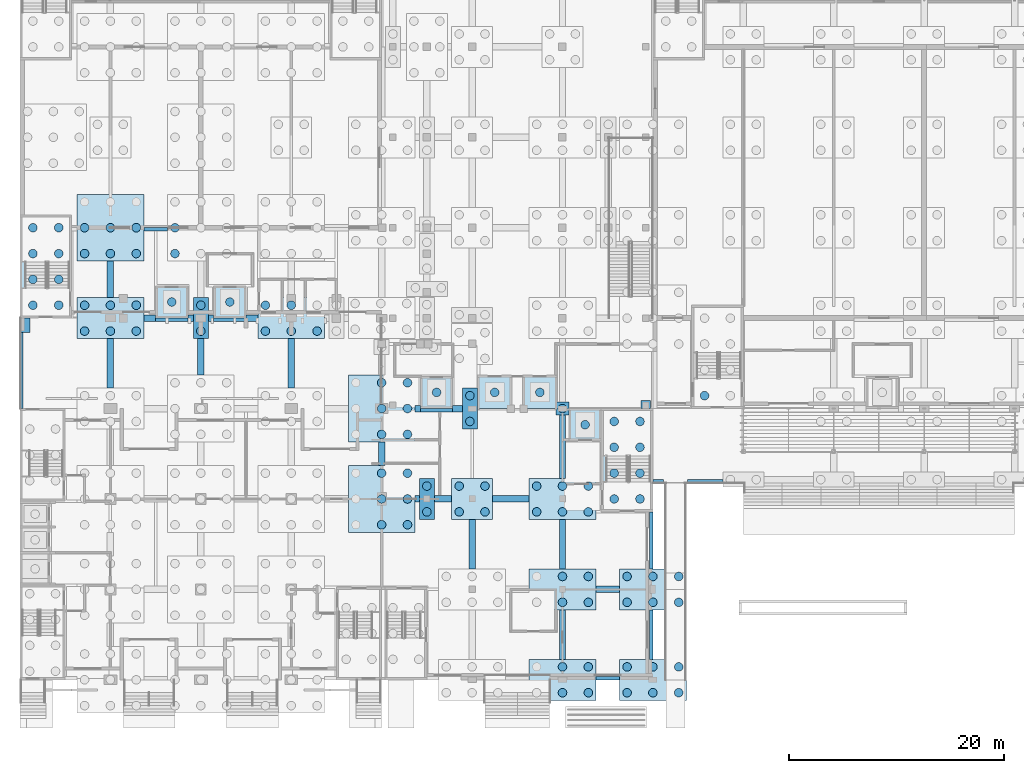
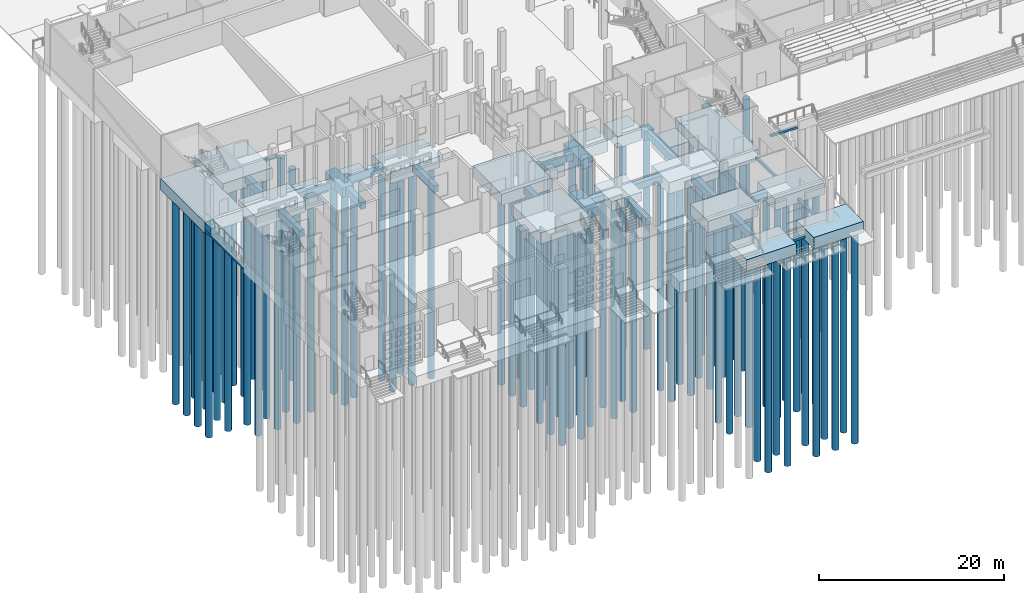
# One storey, part 2 of 129: 91 piles, 54 footings.
"""IFC4 building model written with IfcOpenShell, lengths in metres."""

from ifc_helpers import new_model, si_unit, direction, frame, origin, origin_2d, place, context, subcontext, project, spatial, rectangle, circle, extrude, material, material_profile, profile_set, type_object, element, save


model = new_model("IFC4")

# Units and contexts
model_context = context("Model", 3, precision=1e-05, world=origin(), true_north=direction((0.0, 1.0)))
body_context = subcontext(model_context, "Body", "Model", "MODEL_VIEW")
ifc_project = project(units=[si_unit("LENGTHUNIT", "METRE"), si_unit("AREAUNIT", "SQUARE_METRE"), si_unit("VOLUMEUNIT", "CUBIC_METRE"), si_unit("PLANEANGLEUNIT", "RADIAN"), si_unit("MASSUNIT", "GRAM", prefix="KILO")], contexts=[model_context])

# Site, building, storey
site_placement = place(None, origin())
site = spatial("IfcSite", under=ifc_project, at=site_placement, CompositionType="ELEMENT")
building_placement = place(site_placement, origin())
building = spatial("IfcBuilding", under=site, at=building_placement, Name="Kiln Court Media Centre", CompositionType="ELEMENT")
storey_placement = place(building_placement, origin())
storey = spatial("IfcBuildingStorey", under=building, at=storey_placement, Name="L00", CompositionType="ELEMENT", Elevation=0.0)

# Piles
ifc_material_1 = material(Name="Concrete C30/37", Category="concrete")
ifc_material_profile_1 = material_profile(ifc_material_1, circle(Radius=0.39990234375, at=origin_2d()), Name="PILE D800")
ifc_profile_set_1 = profile_set([ifc_material_profile_1], Name="Concrete C30/37")
pile_type_1 = type_object("IfcPileType", Name="Concrete C30/37 bored pile D800 cut-off -1.400 toe -29.400", PredefinedType="BORED", material=ifc_profile_set_1)
for number, where, z_axis, x_axis, name in (
    (1, (37.801025390625, 15.60009765625, -1.39990234375), (0.0, 0.0, -1.0), (1.0, 0.0, 0.0), "L00-PI-1213"),
    (2, (37.801025390625, 18.0, -1.39990234375), (0.0, 0.0, -1.0), (1.0, 0.0, 0.0), "L00-PI-1214"),
    (3, (40.800048828125, 15.60009765625, -1.39990234375), (0.0, 0.0, -1.0), (1.0, 0.0, 0.0), "L00-PI-1215"),
    (4, (43.199951171875, 15.60009765625, -1.39990234375), (0.0, 0.0, -1.0), (1.0, 0.0, 0.0), "L00-PI-1216"),
    (5, (40.800048828125, 18.0, -1.39990234375), (0.0, 0.0, -1.0), (1.0, 0.0, 0.0), "L00-PI-1217"),
    (6, (43.199951171875, 18.0, -1.39990234375), (0.0, 0.0, -1.0), (1.0, 0.0, 0.0), "L00-PI-1218"),
    (7, (41.800048828125, 24.0, -1.39990234375), (0.0, 0.0, -1.0), (1.0, 0.0, 0.0), "L00-PI-1325"),
    (8, (41.800048828125, 26.39990234375, -1.39990234375), (0.0, 0.0, -1.0), (1.0, 0.0, 0.0), "L00-PI-1326"),
    (9, (50.39990234375, 25.199951171875, -1.39990234375), (0.0, 0.0, -1.0), (1.0, 0.0, 0.0), "L00-PI-1327"),
    (10, (16.800048828125, 32.39990234375, -1.39990234375), (0.0, 0.0, -1.0), (1.0, 0.0, 0.0), "L00-PI-1401"),
    (11, (16.800048828125, 34.800048828125, -1.39990234375), (0.0, 0.0, -1.0), (1.0, 0.0, 0.0), "L00-PI-1402"),
):
    element("IfcPile", number, at=place(storey_placement, frame(where, z_axis=z_axis, x_axis=x_axis)), inside=storey, type_object=pile_type_1, Name=name, PredefinedType="BORED", context=body_context, shape_type="SweptSolid", body=[
        extrude(circle(Radius=0.39990234375, at=origin_2d()), origin(), (0.0, 0.0, 1.0), 28.0),
    ])
ifc_material_2 = material(Name="Concrete C30/37", Category="concrete")
ifc_material_profile_2 = material_profile(ifc_material_2, circle(Radius=0.39990234375, at=origin_2d()), Name="PILE D800")
ifc_profile_set_2 = profile_set([ifc_material_profile_2], Name="Concrete C30/37")
pile_type_2 = type_object("IfcPileType", Name="Concrete C30/37 bored pile D800 cut-off -1.700 toe -29.700", PredefinedType="BORED", material=ifc_profile_set_2)
for number, where, z_axis, x_axis, name in (
    (12, (50.39990234375, -1.199951171875, -1.699951171875), (0.0, 0.0, -1.0), (1.0, 0.0, 0.0), "L00-PI-1034"),
    (13, (52.800048828125, -1.199951171875, -1.699951171875), (0.0, 0.0, -1.0), (1.0, 0.0, 0.0), "L00-PI-1035"),
    (14, (50.39990234375, 1.199951171875, -1.699951171875), (0.0, 0.0, -1.0), (1.0, 0.0, 0.0), "L00-PI-1037"),
    (15, (52.800048828125, 1.199951171875, -1.699951171875), (0.0, 0.0, -1.0), (1.0, 0.0, 0.0), "L00-PI-1038"),
    (16, (56.39990234375, -1.199951171875, -1.699951171875), (0.0, 0.0, -1.0), (1.0, 0.0, 0.0), "L00-PI-1039"),
    (17, (58.800048828125, -1.199951171875, -1.699951171875), (0.0, 0.0, -1.0), (1.0, 0.0, 0.0), "L00-PI-1040"),
    (18, (61.199951171875, -1.199951171875, -1.699951171875), (0.0, 0.0, -1.0), (1.0, 0.0, 0.0), "L00-PI-1041"),
    (19, (56.39990234375, 1.199951171875, -1.699951171875), (0.0, 0.0, -1.0), (1.0, 0.0, 0.0), "L00-PI-1042"),
    (20, (58.800048828125, 1.199951171875, -1.699951171875), (0.0, 0.0, -1.0), (1.0, 0.0, 0.0), "L00-PI-1043"),
    (21, (61.199951171875, 1.199951171875, -1.699951171875), (0.0, 0.0, -1.0), (1.0, 0.0, 0.0), "L00-PI-1044"),
    (22, (50.39990234375, 7.199951171875, -1.699951171875), (0.0, 0.0, -1.0), (1.0, 0.0, 0.0), "L00-PI-1135"),
    (23, (52.800048828125, 7.199951171875, -1.699951171875), (0.0, 0.0, -1.0), (1.0, 0.0, 0.0), "L00-PI-1136"),
    (24, (50.39990234375, 9.60009765625, -1.699951171875), (0.0, 0.0, -1.0), (1.0, 0.0, 0.0), "L00-PI-1138"),
    (25, (52.800048828125, 9.60009765625, -1.699951171875), (0.0, 0.0, -1.0), (1.0, 0.0, 0.0), "L00-PI-1139"),
    (26, (56.39990234375, 7.199951171875, -1.699951171875), (0.0, 0.0, -1.0), (1.0, 0.0, 0.0), "L00-PI-1140"),
    (27, (58.800048828125, 7.199951171875, -1.699951171875), (0.0, 0.0, -1.0), (1.0, 0.0, 0.0), "L00-PI-1141"),
    (28, (61.199951171875, 7.199951171875, -1.699951171875), (0.0, 0.0, -1.0), (1.0, 0.0, 0.0), "L00-PI-1142"),
    (29, (56.39990234375, 9.60009765625, -1.699951171875), (0.0, 0.0, -1.0), (1.0, 0.0, 0.0), "L00-PI-1143"),
    (30, (58.800048828125, 9.60009765625, -1.699951171875), (0.0, 0.0, -1.0), (1.0, 0.0, 0.0), "L00-PI-1144"),
    (31, (61.199951171875, 9.60009765625, -1.699951171875), (0.0, 0.0, -1.0), (1.0, 0.0, 0.0), "L00-PI-1145"),
    (32, (33.60009765625, 14.39990234375, -1.699951171875), (0.0, 0.0, -1.0), (1.0, 0.0, 0.0), "L00-PI-1205"),
    (33, (36.0, 14.39990234375, -1.699951171875), (0.0, 0.0, -1.0), (1.0, 0.0, 0.0), "L00-PI-1206"),
    (34, (33.60009765625, 16.800048828125, -1.699951171875), (0.0, 0.0, -1.0), (1.0, 0.0, 0.0), "L00-PI-1208"),
    (35, (36.0, 16.800048828125, -1.699951171875), (0.0, 0.0, -1.0), (1.0, 0.0, 0.0), "L00-PI-1209"),
    (36, (33.60009765625, 19.199951171875, -1.699951171875), (0.0, 0.0, -1.0), (1.0, 0.0, 0.0), "L00-PI-1211"),
    (37, (36.0, 19.199951171875, -1.699951171875), (0.0, 0.0, -1.0), (1.0, 0.0, 0.0), "L00-PI-1212"),
    (38, (48.0, 15.60009765625, -1.699951171875), (0.0, 0.0, -1.0), (1.0, 0.0, 0.0), "L00-PI-1219"),
    (39, (50.39990234375, 15.60009765625, -1.699951171875), (0.0, 0.0, -1.0), (1.0, 0.0, 0.0), "L00-PI-1220"),
    (40, (52.800048828125, 15.60009765625, -1.699951171875), (0.0, 0.0, -1.0), (1.0, 0.0, 0.0), "L00-PI-1221"),
    (41, (48.0, 18.0, -1.699951171875), (0.0, 0.0, -1.0), (1.0, 0.0, 0.0), "L00-PI-1222"),
    (42, (50.39990234375, 18.0, -1.699951171875), (0.0, 0.0, -1.0), (1.0, 0.0, 0.0), "L00-PI-1223"),
    (43, (52.800048828125, 18.0, -1.699951171875), (0.0, 0.0, -1.0), (1.0, 0.0, 0.0), "L00-PI-1224"),
    (44, (55.199951171875, 16.800048828125, -1.699951171875), (0.0, 0.0, -1.0), (1.0, 0.0, 0.0), "L00-PI-1265"),
    (45, (57.60009765625, 16.800048828125, -1.699951171875), (0.0, 0.0, -1.0), (1.0, 0.0, 0.0), "L00-PI-1266"),
    (46, (55.199951171875, 19.199951171875, -1.699951171875), (0.0, 0.0, -1.0), (1.0, 0.0, 0.0), "L00-PI-1267"),
    (47, (57.60009765625, 19.199951171875, -1.699951171875), (0.0, 0.0, -1.0), (1.0, 0.0, 0.0), "L00-PI-1268"),
    (48, (55.199951171875, 21.60009765625, -1.699951171875), (0.0, 0.0, -1.0), (1.0, 0.0, 0.0), "L00-PI-1269"),
    (49, (57.60009765625, 21.60009765625, -1.699951171875), (0.0, 0.0, -1.0), (1.0, 0.0, 0.0), "L00-PI-1270"),
    (50, (55.199951171875, 24.0, -1.699951171875), (0.0, 0.0, -1.0), (1.0, 0.0, 0.0), "L00-PI-1271"),
    (51, (57.60009765625, 24.0, -1.699951171875), (0.0, 0.0, -1.0), (1.0, 0.0, 0.0), "L00-PI-1272"),
    (52, (33.60009765625, 22.800048828125, -1.699951171875), (0.0, 0.0, -1.0), (1.0, 0.0, 0.0), "L00-PI-1317"),
    (53, (36.0, 22.800048828125, -1.699951171875), (0.0, 0.0, -1.0), (1.0, 0.0, 0.0), "L00-PI-1318"),
    (54, (33.60009765625, 25.199951171875, -1.699951171875), (0.0, 0.0, -1.0), (1.0, 0.0, 0.0), "L00-PI-1320"),
    (55, (36.0, 25.199951171875, -1.699951171875), (0.0, 0.0, -1.0), (1.0, 0.0, 0.0), "L00-PI-1321"),
    (56, (33.60009765625, 27.60009765625, -1.699951171875), (0.0, 0.0, -1.0), (1.0, 0.0, 0.0), "L00-PI-1323"),
    (57, (36.0, 27.60009765625, -1.699951171875), (0.0, 0.0, -1.0), (1.0, 0.0, 0.0), "L00-PI-1324"),
    (58, (44.10009765625, 26.699951171875, -1.699951171875), (0.0, 0.0, -1.0), (1.0, 0.0, 0.0), "L00-PI-1363"),
    (59, (48.300048828125, 26.699951171875, -1.699951171875), (0.0, 0.0, -1.0), (1.0, 0.0, 0.0), "L00-PI-1364"),
    (60, (63.60009765625, 26.39990234375, -1.699951171875), (0.0, 0.0, -1.0), (1.0, 0.0, 0.0), "L00-PI-1366"),
    (61, (6.0, 32.39990234375, -1.699951171875), (0.0, 0.0, -1.0), (1.0, 0.0, 0.0), "L00-PI-1395"),
    (62, (8.39990234375, 32.39990234375, -1.699951171875), (0.0, 0.0, -1.0), (1.0, 0.0, 0.0), "L00-PI-1396"),
    (63, (10.800048828125, 32.39990234375, -1.699951171875), (0.0, 0.0, -1.0), (1.0, 0.0, 0.0), "L00-PI-1397"),
    (64, (6.0, 34.800048828125, -1.699951171875), (0.0, 0.0, -1.0), (1.0, 0.0, 0.0), "L00-PI-1398"),
    (65, (8.39990234375, 34.800048828125, -1.699951171875), (0.0, 0.0, -1.0), (1.0, 0.0, 0.0), "L00-PI-1399"),
    (66, (10.800048828125, 34.800048828125, -1.699951171875), (0.0, 0.0, -1.0), (1.0, 0.0, 0.0), "L00-PI-1400"),
    (67, (22.800048828125, 32.39990234375, -1.699951171875), (0.0, 0.0, -1.0), (1.0, 0.0, 0.0), "L00-PI-1403"),
    (68, (25.199951171875, 32.39990234375, -1.699951171875), (0.0, 0.0, -1.0), (1.0, 0.0, 0.0), "L00-PI-1404"),
    (69, (27.60009765625, 32.39990234375, -1.699951171875), (0.0, 0.0, -1.0), (1.0, 0.0, 0.0), "L00-PI-1405"),
    (70, (22.800048828125, 34.800048828125, -1.699951171875), (0.0, 0.0, -1.0), (1.0, 0.0, 0.0), "L00-PI-1406"),
    (71, (25.199951171875, 34.800048828125, -1.699951171875), (0.0, 0.0, -1.0), (1.0, 0.0, 0.0), "L00-PI-1407"),
    (72, (1.199951171875, 34.800048828125, -1.699951171875), (0.0, 0.0, -1.0), (1.0, 0.0, 0.0), "L00-PI-1464"),
    (73, (3.60009765625, 34.800048828125, -1.699951171875), (0.0, 0.0, -1.0), (1.0, 0.0, 0.0), "L00-PI-1465"),
    (74, (1.199951171875, 37.199951171875, -1.699951171875), (0.0, 0.0, -1.0), (1.0, 0.0, 0.0), "L00-PI-1466"),
    (75, (3.60009765625, 37.199951171875, -1.699951171875), (0.0, 0.0, -1.0), (1.0, 0.0, 0.0), "L00-PI-1467"),
    (76, (1.199951171875, 39.60009765625, -1.699951171875), (0.0, 0.0, -1.0), (1.0, 0.0, 0.0), "L00-PI-1468"),
    (77, (3.60009765625, 39.60009765625, -1.699951171875), (0.0, 0.0, -1.0), (1.0, 0.0, 0.0), "L00-PI-1469"),
    (78, (1.199951171875, 42.0, -1.699951171875), (0.0, 0.0, -1.0), (1.0, 0.0, 0.0), "L00-PI-1470"),
    (79, (3.60009765625, 42.0, -1.699951171875), (0.0, 0.0, -1.0), (1.0, 0.0, 0.0), "L00-PI-1471"),
    (80, (6.0, 39.60009765625, -1.699951171875), (0.0, 0.0, -1.0), (1.0, 0.0, 0.0), "L00-PI-1490"),
    (81, (8.39990234375, 39.60009765625, -1.699951171875), (0.0, 0.0, -1.0), (1.0, 0.0, 0.0), "L00-PI-1491"),
    (82, (10.800048828125, 39.60009765625, -1.699951171875), (0.0, 0.0, -1.0), (1.0, 0.0, 0.0), "L00-PI-1492"),
    (83, (6.0, 42.0, -1.699951171875), (0.0, 0.0, -1.0), (1.0, 0.0, 0.0), "L00-PI-1493"),
    (84, (8.39990234375, 42.0, -1.699951171875), (0.0, 0.0, -1.0), (1.0, 0.0, 0.0), "L00-PI-1494"),
    (85, (10.800048828125, 42.0, -1.699951171875), (0.0, 0.0, -1.0), (1.0, 0.0, 0.0), "L00-PI-1495"),
    (86, (14.39990234375, 39.60009765625, -1.699951171875), (0.0, 0.0, -1.0), (1.0, 0.0, 0.0), "L00-PI-1499"),
    (87, (14.39990234375, 42.0, -1.699951171875), (0.0, 0.0, -1.0), (1.0, 0.0, 0.0), "L00-PI-1502"),
):
    element("IfcPile", number, at=place(storey_placement, frame(where, z_axis=z_axis, x_axis=x_axis)), inside=storey, type_object=pile_type_2, Name=name, PredefinedType="BORED", context=body_context, shape_type="SweptSolid", body=[
        extrude(circle(Radius=0.39990234375, at=origin_2d()), origin(), (0.0, 0.0, 1.0), 28.0),
    ])
ifc_material_3 = material(Name="Concrete C30/37", Category="concrete")
ifc_material_profile_3 = material_profile(ifc_material_3, circle(Radius=0.39990234375, at=origin_2d()), Name="PILE D800")
ifc_profile_set_3 = profile_set([ifc_material_profile_3], Name="Concrete C30/37")
pile_type_3 = type_object("IfcPileType", Name="Concrete C30/37 bored pile D800 cut-off -3.000 toe -31.000", PredefinedType="BORED", material=ifc_profile_set_3)
for number, where, z_axis, x_axis, name in (
    (88, (52.5, 23.699951171875, -3.0), (0.0, 0.0, -1.0), (1.0, 0.0, 0.0), "L00-PI-1291"),
    (89, (38.699951171875, 26.699951171875, -3.0), (0.0, 0.0, -1.0), (1.0, 0.0, 0.0), "L00-PI-1362"),
    (90, (14.10009765625, 35.10009765625, -3.0), (0.0, 0.0, -1.0), (1.0, 0.0, 0.0), "L00-PI-1460"),
    (91, (19.5, 35.10009765625, -3.0), (0.0, 0.0, -1.0), (1.0, 0.0, 0.0), "L00-PI-1461"),
):
    element("IfcPile", number, at=place(storey_placement, frame(where, z_axis=z_axis, x_axis=x_axis)), inside=storey, type_object=pile_type_3, Name=name, PredefinedType="BORED", context=body_context, shape_type="SweptSolid", body=[
        extrude(circle(Radius=0.39990234375, at=origin_2d()), origin(), (0.0, 0.0, 1.0), 28.0),
    ])

# Footings
ifc_material_4 = material(Name="Concrete C30/37", Category="concrete")
footing_type_1 = type_object("IfcFootingType", Name="Concrete C30/37 column pad 1500x900", PredefinedType="PAD_FOOTING", material=ifc_material_4)
footing_1_placement = place(storey_placement, frame((0.47509765625, 32.925048828125, -1.199951171875), z_axis=(0.0, 0.0, 1.0), x_axis=(1.0, 0.0, 0.0)))
element("IfcFooting", 92, at=footing_1_placement, inside=storey, type_object=footing_type_1, Name="L00-FT-1542", PredefinedType="PAD_FOOTING", context=body_context, shape_type="SweptSolid", body=[
    extrude(rectangle(XDim=0.949951171875, YDim=1.35009765625, at=origin_2d()), origin(), (0.0, 0.0, 1.0), 0.89990234375),
])
ifc_material_5 = material(Name="Concrete C30/37", Category="concrete")
footing_type_2 = type_object("IfcFootingType", Name="Concrete C30/37 column pad 900x900", PredefinedType="PAD_FOOTING", material=ifc_material_5)
footing_2_placement = place(storey_placement, frame((58.14990234375, 25.574951171875, -1.199951171875), z_axis=(0.0, 0.0, 1.0), x_axis=(1.0, 0.0, 0.0)))
element("IfcFooting", 93, at=footing_2_placement, inside=storey, type_object=footing_type_2, Name="L00-FT-1520", PredefinedType="PAD_FOOTING", context=body_context, shape_type="SweptSolid", body=[
    extrude(rectangle(XDim=0.89990234375, YDim=0.75, at=origin_2d()), origin(), (0.0, 0.0, 1.0), 0.89990234375),
])
ifc_material_6 = material(Name="Concrete C30/37", Category="concrete")
footing_type_3 = type_object("IfcFootingType", Name="Concrete C30/37 ground beam 600x900", PredefinedType="STRIP_FOOTING", material=ifc_material_6)
footing_3_placement = place(storey_placement, frame((50.39990234375, 4.199951171875, -1.199951171875), z_axis=(0.0, 0.0, 1.0), x_axis=(1.0, 0.0, 0.0)))
element("IfcFooting", 94, at=footing_3_placement, inside=storey, type_object=footing_type_3, Name="L00-FT-1232", PredefinedType="STRIP_FOOTING", context=body_context, shape_type="SweptSolid", body=[
    extrude(rectangle(XDim=0.60009765625, YDim=4.60009765625, at=origin_2d()), origin(), (0.0, 0.0, 1.0), 0.89990234375),
])
footing_4_placement = place(storey_placement, frame((54.60009765625, 8.39990234375, -1.199951171875), z_axis=(0.0, 0.0, 1.0), x_axis=(1.0, 0.0, 0.0)))
element("IfcFooting", 95, at=footing_4_placement, inside=storey, type_object=footing_type_3, Name="L00-FT-1240", PredefinedType="STRIP_FOOTING", context=body_context, shape_type="SweptSolid", body=[
    extrude(rectangle(XDim=2.199951171875, YDim=0.60009765625, at=origin_2d()), origin(), (0.0, 0.0, 1.0), 0.89990234375),
])
for number, where, z_axis, x_axis, name in (
    (96, (42.0, 12.60009765625, -1.199951171875), (0.0, 0.0, 1.0), (1.0, 0.0, 0.0), "L00-FT-1249"),
    (97, (50.39990234375, 12.60009765625, -1.199951171875), (0.0, 0.0, 1.0), (1.0, 0.0, 0.0), "L00-FT-1250"),
):
    element("IfcFooting", number, at=place(storey_placement, frame(where, z_axis=z_axis, x_axis=x_axis)), inside=storey, type_object=footing_type_3, Name=name, PredefinedType="STRIP_FOOTING", context=body_context, shape_type="SweptSolid", body=[
        extrude(rectangle(XDim=0.60009765625, YDim=4.60009765625, at=origin_2d()), origin(), (0.0, 0.0, 1.0), 0.89990234375),
    ])
footing_5_placement = place(storey_placement, frame((36.900390625, 16.800048828125, -1.199951171875), z_axis=(0.0, 0.0, 1.0), x_axis=(1.0, 0.0, 0.0)))
element("IfcFooting", 98, at=footing_5_placement, inside=storey, type_object=footing_type_3, Name="L00-FT-1258", PredefinedType="STRIP_FOOTING", context=body_context, shape_type="SweptSolid", body=[
    extrude(rectangle(XDim=0.40087890625, YDim=0.60009765625, at=origin_2d()), origin(), (0.0, 0.0, 1.0), 0.89990234375),
])
footing_6_placement = place(storey_placement, frame((39.300537109375, 16.800048828125, -1.199951171875), z_axis=(0.0, 0.0, 1.0), x_axis=(1.0, 0.0, 0.0)))
element("IfcFooting", 99, at=footing_6_placement, inside=storey, type_object=footing_type_3, Name="L00-FT-1259", PredefinedType="STRIP_FOOTING", context=body_context, shape_type="SweptSolid", body=[
    extrude(rectangle(XDim=1.59912109375, YDim=0.60009765625, at=origin_2d()), origin(), (0.0, 0.0, 1.0), 0.89990234375),
])
footing_7_placement = place(storey_placement, frame((45.60009765625, 16.800048828125, -1.199951171875), z_axis=(0.0, 0.0, 1.0), x_axis=(1.0, 0.0, 0.0)))
element("IfcFooting", 100, at=footing_7_placement, inside=storey, type_object=footing_type_3, Name="L00-FT-1260", PredefinedType="STRIP_FOOTING", context=body_context, shape_type="SweptSolid", body=[
    extrude(rectangle(XDim=3.39990234375, YDim=0.60009765625, at=origin_2d()), origin(), (0.0, 0.0, 1.0), 0.89990234375),
])
footing_8_placement = place(storey_placement, frame((33.60009765625, 21.0, -1.199951171875), z_axis=(0.0, 0.0, 1.0), x_axis=(1.0, 0.0, 0.0)))
element("IfcFooting", 101, at=footing_8_placement, inside=storey, type_object=footing_type_3, Name="L00-FT-1268", PredefinedType="STRIP_FOOTING", context=body_context, shape_type="SweptSolid", body=[
    extrude(rectangle(XDim=0.60009765625, YDim=2.199951171875, at=origin_2d()), origin(), (0.0, 0.0, 1.0), 0.89990234375),
])
footing_9_placement = place(storey_placement, frame((50.39990234375, 21.64990234375, -1.199951171875), z_axis=(0.0, 0.0, 1.0), x_axis=(1.0, 0.0, 0.0)))
element("IfcFooting", 102, at=footing_9_placement, inside=storey, type_object=footing_type_3, Name="L00-FT-1269", PredefinedType="STRIP_FOOTING", context=body_context, shape_type="SweptSolid", body=[
    extrude(rectangle(XDim=0.60009765625, YDim=5.89990234375, at=origin_2d()), origin(), (0.0, 0.0, 1.0), 0.89990234375),
])
footing_10_placement = place(storey_placement, frame((36.949951171875, 25.199951171875, -1.199951171875), z_axis=(0.0, 0.0, 1.0), x_axis=(1.0, 0.0, 0.0)))
element("IfcFooting", 103, at=footing_10_placement, inside=storey, type_object=footing_type_3, Name="L00-FT-1288", PredefinedType="STRIP_FOOTING", context=body_context, shape_type="SweptSolid", body=[
    extrude(rectangle(XDim=0.5, YDim=0.60009765625, at=origin_2d()), origin(), (0.0, 0.0, 1.0), 0.89990234375),
])
footing_11_placement = place(storey_placement, frame((40.64990234375, 25.199951171875, -1.199951171875), z_axis=(0.0, 0.0, 1.0), x_axis=(1.0, 0.0, 0.0)))
element("IfcFooting", 104, at=footing_11_placement, inside=storey, type_object=footing_type_3, Name="L00-FT-1289", PredefinedType="STRIP_FOOTING", context=body_context, shape_type="SweptSolid", body=[
    extrude(rectangle(XDim=0.89990234375, YDim=0.60009765625, at=origin_2d()), origin(), (0.0, 0.0, 1.0), 0.89990234375),
])
footing_12_placement = place(storey_placement, frame((38.699951171875, 25.050048828125, -1.199951171875), z_axis=(0.0, 0.0, 1.0), x_axis=(1.0, 0.0, 0.0)))
element("IfcFooting", 105, at=footing_12_placement, inside=storey, type_object=footing_type_3, Name="L00-FT-1290", PredefinedType="STRIP_FOOTING", context=body_context, shape_type="SweptSolid", body=[
    extrude(rectangle(XDim=3.0, YDim=0.300048828125, at=origin_2d()), origin(), (0.0, 0.0, 1.0), 0.89990234375),
])
footing_13_placement = place(storey_placement, frame((8.39990234375, 29.39990234375, -1.199951171875), z_axis=(0.0, 0.0, 1.0), x_axis=(1.0, 0.0, 0.0)))
element("IfcFooting", 106, at=footing_13_placement, inside=storey, type_object=footing_type_3, Name="L00-FT-1297", PredefinedType="STRIP_FOOTING", context=body_context, shape_type="SweptSolid", body=[
    extrude(rectangle(XDim=0.60009765625, YDim=4.60009765625, at=origin_2d()), origin(), (0.0, 0.0, 1.0), 0.89990234375),
])
footing_14_placement = place(storey_placement, frame((16.800048828125, 30.0, -1.199951171875), z_axis=(0.0, 0.0, 1.0), x_axis=(1.0, 0.0, 0.0)))
element("IfcFooting", 107, at=footing_14_placement, inside=storey, type_object=footing_type_3, Name="L00-FT-1298", PredefinedType="STRIP_FOOTING", context=body_context, shape_type="SweptSolid", body=[
    extrude(rectangle(XDim=0.60009765625, YDim=3.39990234375, at=origin_2d()), origin(), (0.0, 0.0, 1.0), 0.89990234375),
])
footing_15_placement = place(storey_placement, frame((25.199951171875, 29.39990234375, -1.199951171875), z_axis=(0.0, 0.0, 1.0), x_axis=(1.0, 0.0, 0.0)))
element("IfcFooting", 108, at=footing_15_placement, inside=storey, type_object=footing_type_3, Name="L00-FT-1299", PredefinedType="STRIP_FOOTING", context=body_context, shape_type="SweptSolid", body=[
    extrude(rectangle(XDim=0.60009765625, YDim=4.60009765625, at=origin_2d()), origin(), (0.0, 0.0, 1.0), 0.89990234375),
])
footing_16_placement = place(storey_placement, frame((12.050048828125, 33.60009765625, -1.199951171875), z_axis=(0.0, 0.0, 1.0), x_axis=(1.0, 0.0, 0.0)))
element("IfcFooting", 109, at=footing_16_placement, inside=storey, type_object=footing_type_3, Name="L00-FT-1308", PredefinedType="STRIP_FOOTING", context=body_context, shape_type="SweptSolid", body=[
    extrude(rectangle(XDim=1.10009765625, YDim=0.60009765625, at=origin_2d()), origin(), (0.0, 0.0, 1.0), 0.89990234375),
])
footing_17_placement = place(storey_placement, frame((15.85009765625, 33.60009765625, -1.199951171875), z_axis=(0.0, 0.0, 1.0), x_axis=(1.0, 0.0, 0.0)))
element("IfcFooting", 110, at=footing_17_placement, inside=storey, type_object=footing_type_3, Name="L00-FT-1309", PredefinedType="STRIP_FOOTING", context=body_context, shape_type="SweptSolid", body=[
    extrude(rectangle(XDim=0.5, YDim=0.60009765625, at=origin_2d()), origin(), (0.0, 0.0, 1.0), 0.89990234375),
])
footing_18_placement = place(storey_placement, frame((14.10009765625, 33.449951171875, -1.199951171875), z_axis=(0.0, 0.0, 1.0), x_axis=(1.0, 0.0, 0.0)))
element("IfcFooting", 111, at=footing_18_placement, inside=storey, type_object=footing_type_3, Name="L00-FT-1310", PredefinedType="STRIP_FOOTING", context=body_context, shape_type="SweptSolid", body=[
    extrude(rectangle(XDim=3.0, YDim=0.300048828125, at=origin_2d()), origin(), (0.0, 0.0, 1.0), 0.89990234375),
])
footing_19_placement = place(storey_placement, frame((17.75, 33.60009765625, -1.199951171875), z_axis=(0.0, 0.0, 1.0), x_axis=(1.0, 0.0, 0.0)))
element("IfcFooting", 112, at=footing_19_placement, inside=storey, type_object=footing_type_3, Name="L00-FT-1311", PredefinedType="STRIP_FOOTING", context=body_context, shape_type="SweptSolid", body=[
    extrude(rectangle(XDim=0.5, YDim=0.60009765625, at=origin_2d()), origin(), (0.0, 0.0, 1.0), 0.89990234375),
])
footing_20_placement = place(storey_placement, frame((21.550048828125, 33.60009765625, -1.199951171875), z_axis=(0.0, 0.0, 1.0), x_axis=(1.0, 0.0, 0.0)))
element("IfcFooting", 113, at=footing_20_placement, inside=storey, type_object=footing_type_3, Name="L00-FT-1312", PredefinedType="STRIP_FOOTING", context=body_context, shape_type="SweptSolid", body=[
    extrude(rectangle(XDim=1.10009765625, YDim=0.60009765625, at=origin_2d()), origin(), (0.0, 0.0, 1.0), 0.89990234375),
])
footing_21_placement = place(storey_placement, frame((19.5, 33.449951171875, -1.199951171875), z_axis=(0.0, 0.0, 1.0), x_axis=(1.0, 0.0, 0.0)))
element("IfcFooting", 114, at=footing_21_placement, inside=storey, type_object=footing_type_3, Name="L00-FT-1313", PredefinedType="STRIP_FOOTING", context=body_context, shape_type="SweptSolid", body=[
    extrude(rectangle(XDim=3.0, YDim=0.300048828125, at=origin_2d()), origin(), (0.0, 0.0, 1.0), 0.89990234375),
])
footing_22_placement = place(storey_placement, frame((8.39990234375, 37.199951171875, -1.199951171875), z_axis=(0.0, 0.0, 1.0), x_axis=(1.0, 0.0, 0.0)))
element("IfcFooting", 115, at=footing_22_placement, inside=storey, type_object=footing_type_3, Name="L00-FT-1320", PredefinedType="STRIP_FOOTING", context=body_context, shape_type="SweptSolid", body=[
    extrude(rectangle(XDim=0.60009765625, YDim=3.39990234375, at=origin_2d()), origin(), (0.0, 0.0, 1.0), 0.89990234375),
])
ifc_material_7 = material(Name="Concrete C30/37", Category="concrete")
footing_type_4 = type_object("IfcFootingType", Name="Concrete C30/37 pile cap 1200x1200x1200", PredefinedType="PILE_CAP", material=ifc_material_7)
footing_23_placement = place(storey_placement, frame((50.39990234375, 25.199951171875, -1.5), z_axis=(0.0, 0.0, 1.0), x_axis=(1.0, 0.0, 0.0)))
element("IfcFooting", 116, at=footing_23_placement, inside=storey, type_object=footing_type_4, Name="L00-FT-1075", PredefinedType="PILE_CAP", context=body_context, shape_type="SweptSolid", body=[
    extrude(rectangle(XDim=1.199951171875, YDim=1.199951171875, at=origin_2d()), origin(), (0.0, 0.0, 1.0), 1.199951171875),
])
ifc_material_8 = material(Name="Concrete C30/37", Category="concrete")
footing_type_5 = type_object("IfcFootingType", Name="Concrete C30/37 pile cap 1400x3800x1200", PredefinedType="PILE_CAP", material=ifc_material_8)
for number, where, z_axis, x_axis, name in (
    (117, (37.801025390625, 16.800048828125, -1.5), (0.0, 0.0, 1.0), (1.0, 0.0, 0.0), "L00-FT-1048"),
    (118, (41.800048828125, 25.199951171875, -1.5), (0.0, 0.0, 1.0), (1.0, 0.0, 0.0), "L00-FT-1074"),
    (119, (16.800048828125, 33.60009765625, -1.5), (0.0, 0.0, 1.0), (1.0, 0.0, 0.0), "L00-FT-1097"),
):
    element("IfcFooting", number, at=place(storey_placement, frame(where, z_axis=z_axis, x_axis=x_axis)), inside=storey, type_object=footing_type_5, Name=name, PredefinedType="PILE_CAP", context=body_context, shape_type="SweptSolid", body=[
        extrude(rectangle(XDim=1.39990234375, YDim=3.800048828125, at=origin_2d()), origin(), (0.0, 0.0, 1.0), 1.199951171875),
    ])
ifc_material_9 = material(Name="Concrete C30/37", Category="concrete")
footing_type_6 = type_object("IfcFootingType", Name="Concrete C30/37 pile cap 3000x3000x1500", PredefinedType="PILE_CAP", material=ifc_material_9)
for number, where, z_axis, x_axis, name in (
    (120, (52.5, 23.699951171875, -3.10009765625), (0.0, 0.0, 1.0), (1.0, 0.0, 0.0), "L00-FT-1067"),
    (121, (38.699951171875, 26.699951171875, -3.10009765625), (0.0, 0.0, 1.0), (1.0, 0.0, 0.0), "L00-FT-1084"),
    (122, (44.10009765625, 26.699951171875, -1.800048828125), (0.0, 0.0, 1.0), (1.0, 0.0, 0.0), "L00-FT-1085"),
    (123, (48.300048828125, 26.699951171875, -1.800048828125), (0.0, 0.0, 1.0), (1.0, 0.0, 0.0), "L00-FT-1086"),
    (124, (14.10009765625, 35.10009765625, -3.10009765625), (0.0, 0.0, 1.0), (1.0, 0.0, 0.0), "L00-FT-1112"),
    (125, (19.5, 35.10009765625, -3.10009765625), (0.0, 0.0, 1.0), (1.0, 0.0, 0.0), "L00-FT-1113"),
):
    element("IfcFooting", number, at=place(storey_placement, frame(where, z_axis=z_axis, x_axis=x_axis)), inside=storey, type_object=footing_type_6, Name=name, PredefinedType="PILE_CAP", context=body_context, shape_type="SweptSolid", body=[
        extrude(rectangle(XDim=3.0, YDim=3.0, at=origin_2d()), origin(), (0.0, 0.0, 1.0), 1.5),
    ])
ifc_material_10 = material(Name="Concrete C30/37", Category="concrete")
footing_type_7 = type_object("IfcFootingType", Name="Concrete C30/37 pile cap 3800x3800x1200", PredefinedType="PILE_CAP", material=ifc_material_10)
footing_24_placement = place(storey_placement, frame((42.0, 16.800048828125, -1.5), z_axis=(0.0, 0.0, 1.0), x_axis=(1.0, 0.0, 0.0)))
element("IfcFooting", 126, at=footing_24_placement, inside=storey, type_object=footing_type_7, Name="L00-FT-1049", PredefinedType="PILE_CAP", context=body_context, shape_type="SweptSolid", body=[
    extrude(rectangle(XDim=3.800048828125, YDim=3.800048828125, at=origin_2d()), origin(), (0.0, 0.0, 1.0), 1.199951171875),
])
ifc_material_11 = material(Name="Concrete C30/37", Category="concrete")
footing_type_8 = type_object("IfcFootingType", Name="Concrete C30/37 pile cap 4800x9600x1500", PredefinedType="PILE_CAP", material=ifc_material_11)
for number, where, z_axis, x_axis, name in (
    (127, (56.39990234375, 20.39990234375, -1.800048828125), (0.0, 0.0, 1.0), (1.0, 0.0, 0.0), "L00-FT-1063"),
    (128, (2.400390625, 38.39990234375, -1.800048828125), (0.0, 0.0, 1.0), (1.0, 0.0, 0.0), "L00-FT-1115"),
):
    element("IfcFooting", number, at=place(storey_placement, frame(where, z_axis=z_axis, x_axis=x_axis)), inside=storey, type_object=footing_type_8, Name=name, PredefinedType="PILE_CAP", context=body_context, shape_type="SweptSolid", body=[
        extrude(rectangle(XDim=4.800048828125, YDim=9.60009765625, at=origin_2d()), origin(), (0.0, 0.0, 1.0), 1.5),
    ])
ifc_material_12 = material(Name="Concrete C30/37", Category="concrete")
footing_type_9 = type_object("IfcFootingType", Name="Concrete C30/37 pile cap 6200x3800x1500", PredefinedType="PILE_CAP", material=ifc_material_12)
for number, where, z_axis, x_axis, name in (
    (129, (50.39990234375, 0.0, -1.800048828125), (0.0, 0.0, 1.0), (1.0, 0.0, 0.0), "L00-FT-1018"),
    (130, (58.800048828125, 0.0, -1.800048828125), (0.0, 0.0, 1.0), (1.0, 0.0, 0.0), "L00-FT-1019"),
    (131, (50.39990234375, 8.39990234375, -1.800048828125), (0.0, 0.0, 1.0), (1.0, 0.0, 0.0), "L00-FT-1033"),
    (132, (58.800048828125, 8.39990234375, -1.800048828125), (0.0, 0.0, 1.0), (1.0, 0.0, 0.0), "L00-FT-1034"),
    (133, (50.39990234375, 16.800048828125, -1.800048828125), (0.0, 0.0, 1.0), (1.0, 0.0, 0.0), "L00-FT-1050"),
    (134, (8.39990234375, 33.60009765625, -1.800048828125), (0.0, 0.0, 1.0), (1.0, 0.0, 0.0), "L00-FT-1096"),
    (135, (25.199951171875, 33.60009765625, -1.800048828125), (0.0, 0.0, 1.0), (1.0, 0.0, 0.0), "L00-FT-1098"),
):
    element("IfcFooting", number, at=place(storey_placement, frame(where, z_axis=z_axis, x_axis=x_axis)), inside=storey, type_object=footing_type_9, Name=name, PredefinedType="PILE_CAP", context=body_context, shape_type="SweptSolid", body=[
        extrude(rectangle(XDim=6.199951171875, YDim=3.800048828125, at=origin_2d()), origin(), (0.0, 0.0, 1.0), 1.5),
    ])
ifc_material_13 = material(Name="Concrete C30/37", Category="concrete")
footing_type_10 = type_object("IfcFootingType", Name="Concrete C30/37 pile cap 6200x6200x1500", PredefinedType="PILE_CAP", material=ifc_material_13)
for number, where, z_axis, x_axis, name in (
    (136, (33.60009765625, 16.800048828125, -1.800048828125), (0.0, 0.0, 1.0), (1.0, 0.0, 0.0), "L00-FT-1047"),
    (137, (33.60009765625, 25.199951171875, -1.800048828125), (0.0, 0.0, 1.0), (1.0, 0.0, 0.0), "L00-FT-1073"),
    (138, (8.39990234375, 42.0, -1.800048828125), (0.0, 0.0, 1.0), (1.0, 0.0, 0.0), "L00-FT-1119"),
):
    element("IfcFooting", number, at=place(storey_placement, frame(where, z_axis=z_axis, x_axis=x_axis)), inside=storey, type_object=footing_type_10, Name=name, PredefinedType="PILE_CAP", context=body_context, shape_type="SweptSolid", body=[
        extrude(rectangle(XDim=6.199951171875, YDim=6.199951171875, at=origin_2d()), origin(), (0.0, 0.0, 1.0), 1.5),
    ])
ifc_material_14 = material(Name="Concrete C30/37", Category="concrete")
footing_type_11 = type_object("IfcFootingType", Name="Concrete C30/37 wall footing 300x300", PredefinedType="STRIP_FOOTING", material=ifc_material_14)
footing_25_placement = place(storey_placement, frame((0.150390625, 29.39990234375, -1.5), z_axis=(0.0, 0.0, 1.0), x_axis=(1.0, 0.0, 0.0)))
element("IfcFooting", 139, at=footing_25_placement, inside=storey, type_object=footing_type_11, Name="L00-FT-1464", PredefinedType="STRIP_FOOTING", context=body_context, shape_type="SweptSolid", body=[
    extrude(rectangle(XDim=0.300048828125, YDim=8.39990234375, at=origin_2d()), origin(), (0.0, 0.0, 1.0), 0.300048828125),
])
footing_26_placement = place(storey_placement, frame((54.60009765625, 0.14990234375, -1.5), z_axis=(0.0, 0.0, 1.0), x_axis=(1.0, 0.0, 0.0)))
element("IfcFooting", 140, at=footing_26_placement, inside=storey, type_object=footing_type_11, Name="L00-FT-1471", PredefinedType="STRIP_FOOTING", context=body_context, shape_type="SweptSolid", body=[
    extrude(rectangle(XDim=2.199951171875, YDim=0.300048828125, at=origin_2d()), origin(), (0.0, 0.0, 1.0), 0.300048828125),
])
footing_27_placement = place(storey_placement, frame((58.64990234375, 4.199951171875, -1.5), z_axis=(0.0, 0.0, 1.0), x_axis=(1.0, 0.0, 0.0)))
element("IfcFooting", 141, at=footing_27_placement, inside=storey, type_object=footing_type_11, Name="L00-FT-1472", PredefinedType="STRIP_FOOTING", context=body_context, shape_type="SweptSolid", body=[
    extrude(rectangle(XDim=0.300048828125, YDim=4.60009765625, at=origin_2d()), origin(), (0.0, 0.0, 1.0), 0.300048828125),
])
footing_28_placement = place(storey_placement, frame((58.64990234375, 12.949951171875, -1.5), z_axis=(0.0, 0.0, 1.0), x_axis=(1.0, 0.0, 0.0)))
element("IfcFooting", 142, at=footing_28_placement, inside=storey, type_object=footing_type_11, Name="L00-FT-1473", PredefinedType="STRIP_FOOTING", context=body_context, shape_type="SweptSolid", body=[
    extrude(rectangle(XDim=0.300048828125, YDim=5.300048828125, at=origin_2d()), origin(), (0.0, 0.0, 1.0), 0.300048828125),
])
footing_29_placement = place(storey_placement, frame((59.300537109375, 18.449951171875, -1.5), z_axis=(0.0, 0.0, 1.0), x_axis=(1.0, 0.0, 0.0)))
element("IfcFooting", 143, at=footing_29_placement, inside=storey, type_object=footing_type_11, Name="L00-FT-1474", PredefinedType="STRIP_FOOTING", context=body_context, shape_type="SweptSolid", body=[
    extrude(rectangle(XDim=0.9990234375, YDim=0.300048828125, at=origin_2d()), origin(), (0.0, 0.0, 1.0), 0.300048828125),
])
footing_30_placement = place(storey_placement, frame((63.64990234375, 18.449951171875, -1.5), z_axis=(0.0, 0.0, 1.0), x_axis=(1.0, 0.0, 0.0)))
element("IfcFooting", 144, at=footing_30_placement, inside=storey, type_object=footing_type_11, Name="L00-FT-1475", PredefinedType="STRIP_FOOTING", context=body_context, shape_type="SweptSolid", body=[
    extrude(rectangle(XDim=3.300048828125, YDim=0.300048828125, at=origin_2d()), origin(), (0.0, 0.0, 1.0), 0.300048828125),
])
footing_31_placement = place(storey_placement, frame((12.60009765625, 41.85009765625, -1.5), z_axis=(0.0, 0.0, 1.0), x_axis=(1.0, 0.0, 0.0)))
element("IfcFooting", 145, at=footing_31_placement, inside=storey, type_object=footing_type_11, Name="L00-FT-1517", PredefinedType="STRIP_FOOTING", context=body_context, shape_type="SweptSolid", body=[
    extrude(rectangle(XDim=2.199951171875, YDim=0.300048828125, at=origin_2d()), origin(), (0.0, 0.0, 1.0), 0.300048828125),
])

save(model, "model.ifc")
